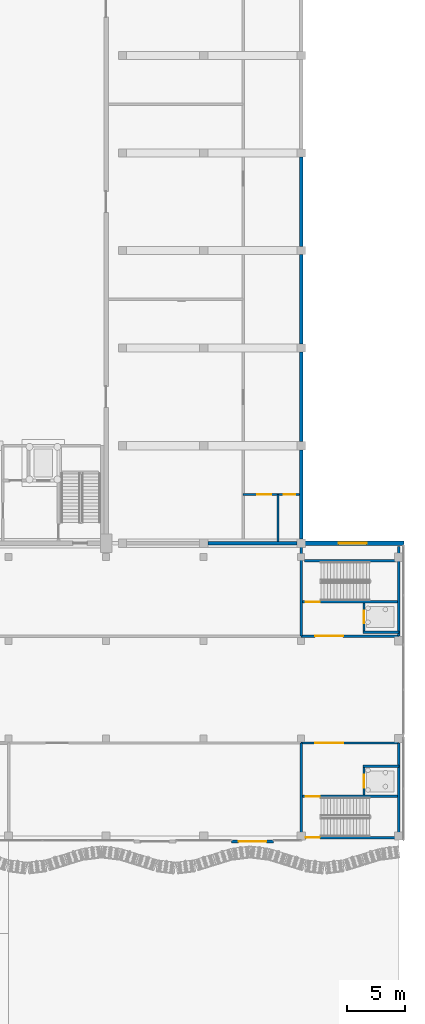
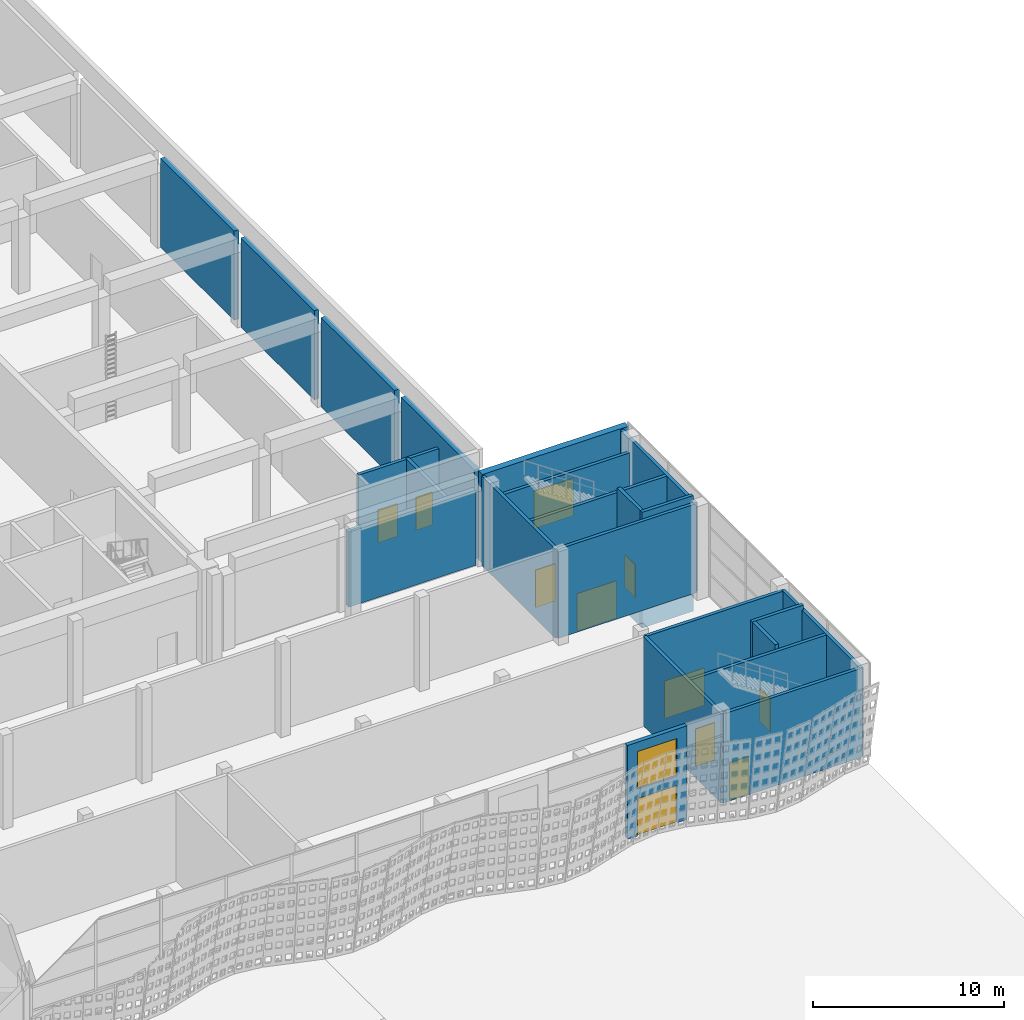
# One storey, part 124 of 210: 23 walls, 10 doors, 2 windows, 12 openings.
"""IFC4 building model written with IfcOpenShell, lengths in metres."""

from ifc_helpers import new_model, si_unit, direction, frame, frame_2d, origin, place, context, subcontext, project, spatial, rectangle, extrude, material, layer, layer_set, type_object, element, fill, save


model = new_model("IFC4")

# Units and contexts
model_context = context("Model", 3, precision=1e-05, world=origin(), true_north=direction((0.0, 1.0)))
body_context = subcontext(model_context, "Body", "Model", "MODEL_VIEW")
ifc_project = project(units=[si_unit("LENGTHUNIT", "METRE"), si_unit("AREAUNIT", "SQUARE_METRE"), si_unit("VOLUMEUNIT", "CUBIC_METRE"), si_unit("PLANEANGLEUNIT", "RADIAN"), si_unit("MASSUNIT", "GRAM", prefix="KILO")], contexts=[model_context])

# Site, building, storey
site_placement = place(None, origin())
site = spatial("IfcSite", under=ifc_project, at=site_placement, CompositionType="ELEMENT")
building_placement = place(site_placement, origin())
building = spatial("IfcBuilding", under=site, at=building_placement, Name="Rain Tree Exposition and Congress Centre", CompositionType="ELEMENT")
storey_placement = place(building_placement, origin())
storey = spatial("IfcBuildingStorey", under=building, at=storey_placement, Name="L00", CompositionType="ELEMENT", Elevation=0.0)

# Wall, openings, door, window
ifc_material_1 = material(Name="Concrete C40/50", Category="concrete")
ifc_layer_1 = layer(ifc_material_1, 0.25)
ifc_layer_set_1 = layer_set([ifc_layer_1], Name="Concrete C40/50")
wall_type_1 = type_object("IfcWallType", Name="Concourse entrance infill wall 250", PredefinedType="SOLIDWALL", material=ifc_layer_set_1)
wall_1_placement = place(storey_placement, frame((254.39990234375, 75.125, 0.0), z_axis=(0.0, 0.0, 1.0), x_axis=(1.0, 0.0, 0.0)))
wall_1 = element("IfcWall", 1, at=wall_1_placement, inside=storey, type_object=wall_type_1, Name="Concourse entrance infill wall", PredefinedType="SOLIDWALL", context=body_context, shape_type="SweptSolid", body=[
    extrude(rectangle(XDim=3.60009765625, YDim=0.25, at=frame_2d((1.800048828125, 0.0))), origin(), (0.0, 0.0, 1.0), 6.0),
])
opening_1_placement = place(wall_1_placement, frame((0.60009765625, 0.0, 0.0)))
opening_1 = element("IfcOpeningElement", 2, at=opening_1_placement, cuts=wall_1, Name="Opening DC014", PredefinedType="OPENING", context=body_context, shape_type="SweptSolid", body=[
    extrude(rectangle(XDim=2.39990234375, YDim=2.39990234375, at=frame_2d((1.199951171875, 1.199951171875))), frame((0.0, 0.125, 0.0), z_axis=(0.0, -1.0, 0.0), x_axis=(1.0, 0.0, 0.0)), (0.0, 0.0, 1.0), 0.25),
])
opening_2_placement = place(wall_1_placement, frame((0.60009765625, 0.0, 3.0)))
opening_2 = element("IfcOpeningElement", 3, at=opening_2_placement, cuts=wall_1, Name="Opening WC544", PredefinedType="OPENING", context=body_context, shape_type="SweptSolid", body=[
    extrude(rectangle(XDim=2.39990234375, YDim=2.39990234375, at=frame_2d((1.199951171875, 1.199951171875))), frame((0.0, 0.125, 0.0), z_axis=(0.0, -1.0, 0.0), x_axis=(1.0, 0.0, 0.0)), (0.0, 0.0, 1.0), 0.25),
])
ifc_material_2 = material(Name="Aluminium framed glazed door", Category="aluminium")
door_type_1 = type_object("IfcDoorType", Name="Concourse double door 2400x2400", OperationType="DOUBLE_DOOR_DOUBLE_SWING", PredefinedType="DOOR", material=ifc_material_2)
door_1_placement = place(opening_1_placement, origin())
door_1 = element("IfcDoor", 4, at=door_1_placement, inside=storey, type_object=door_type_1, Name="Room entrance door DC014", OperationType="DOUBLE_DOOR_DOUBLE_SWING", OverallHeight=2.39990234375, OverallWidth=2.39990234375, PredefinedType="DOOR", context=body_context, shape_type="SweptSolid", body=[
    extrude(rectangle(XDim=2.39990234375, YDim=2.39990234375, at=frame_2d((1.199951171875, 1.199951171875))), frame((0.0, 0.02490234375, 0.0), z_axis=(0.0, -1.0, 0.0), x_axis=(1.0, 0.0, 0.0)), (0.0, 0.0, 1.0), 0.050048828125),
])
fill(opening_1, door_1)
ifc_material_3 = material(Name="Aluminium framed glazing", Category="aluminium")
window_type = type_object("IfcWindowType", Name="Concourse fixed window 2400x2400", PartitioningType="SINGLE_PANEL", PredefinedType="WINDOW", material=ifc_material_3)
window_1_placement = place(opening_2_placement, origin())
window_1 = element("IfcWindow", 5, at=window_1_placement, inside=storey, type_object=window_type, Name="Entrance transom window", OverallHeight=2.39990234375, OverallWidth=2.39990234375, PartitioningType="SINGLE_PANEL", PredefinedType="WINDOW", context=body_context, shape_type="SweptSolid", body=[
    extrude(rectangle(XDim=2.39990234375, YDim=2.39990234375, at=frame_2d((1.199951171875, 1.199951171875))), frame((0.0, 0.030029296875, 0.0), z_axis=(0.0, -1.0, 0.0), x_axis=(1.0, 0.0, 0.0)), (0.0, 0.0, 1.0), 0.06005859375),
])
fill(opening_2, window_1)

# Wall, opening, window
ifc_material_4 = material(Name="Concrete C40/50", Category="concrete")
ifc_layer_2 = layer(ifc_material_4, 0.39990234375)
ifc_layer_set_2 = layer_set([ifc_layer_2], Name="Concrete C40/50")
wall_type_2 = type_object("IfcWallType", Name="Concourse north wall 400", PredefinedType="SOLIDWALL", material=ifc_layer_set_2)
wall_2_placement = place(storey_placement, frame((260.39990234375, 100.800048828125, 0.0), z_axis=(0.0, 0.0, 1.0), x_axis=(1.0, 0.0, 0.0)))
wall_2 = element("IfcWall", 6, at=wall_2_placement, inside=storey, type_object=wall_type_2, Name="Concourse north wall", PredefinedType="SOLIDWALL", context=body_context, shape_type="SweptSolid", body=[
    extrude(rectangle(XDim=8.85009765625, YDim=0.39990234375, at=frame_2d((4.425048828125, 0.0))), origin(), (0.0, 0.0, 1.0), 5.699951171875),
])
opening_3_placement = place(wall_2_placement, frame((3.22509765625, 0.0, 1.0)))
opening_3 = element("IfcOpeningElement", 7, at=opening_3_placement, cuts=wall_2, Name="Opening WN2600", PredefinedType="OPENING", context=body_context, shape_type="SweptSolid", body=[
    extrude(rectangle(XDim=2.39990234375, YDim=2.39990234375, at=frame_2d((1.199951171875, 1.199951171875))), frame((0.0, 0.199951171875, 0.0), z_axis=(0.0, -1.0, 0.0), x_axis=(1.0, 0.0, 0.0)), (0.0, 0.0, 1.0), 0.39990234375),
])
window_2_placement = place(opening_3_placement, origin())
window_2 = element("IfcWindow", 8, at=window_2_placement, inside=storey, type_object=window_type, Name="North wall window", OverallHeight=2.39990234375, OverallWidth=2.39990234375, PartitioningType="SINGLE_PANEL", PredefinedType="WINDOW", context=body_context, shape_type="SweptSolid", body=[
    extrude(rectangle(XDim=2.39990234375, YDim=2.39990234375, at=frame_2d((1.199951171875, 1.199951171875))), frame((0.0, 0.030029296875, 0.0), z_axis=(0.0, -1.0, 0.0), x_axis=(1.0, 0.0, 0.0)), (0.0, 0.0, 1.0), 0.06005859375),
])
fill(opening_3, window_2)

# Walls
ifc_material_5 = material(Name="Concrete C40/50", Category="concrete")
ifc_layer_3 = layer(ifc_material_5, 0.199951171875)
ifc_layer_set_3 = layer_set([ifc_layer_3], Name="Concrete C40/50")
wall_type_3 = type_object("IfcWallType", Name="Concourse shaft and core wall 200", PredefinedType="SOLIDWALL", material=ifc_layer_set_3)
for number, where, z_axis, x_axis, name in (
    (9, (260.39990234375, 75.39990234375, 0.0), (0.0, 0.0, 1.0), (0.0, 1.0, 0.0), "Concourse core wall L00"),
    (10, (268.800048828125, 75.39990234375, 0.0), (0.0, 0.0, 1.0), (0.0, 1.0, 0.0), "Concourse core wall L00"),
):
    element("IfcWall", number, at=place(storey_placement, frame(where, z_axis=z_axis, x_axis=x_axis)), inside=storey, type_object=wall_type_3, Name=name, PredefinedType="SOLIDWALL", context=body_context, shape_type="SweptSolid", body=[
        extrude(rectangle(XDim=8.2001953125, YDim=0.199951171875, at=frame_2d((4.10009765625, 0.0))), origin(), (0.0, 0.0, 1.0), 5.699951171875),
    ])
for number, where, z_axis, x_axis, name in (
    (11, (260.39990234375, 100.5, 0.0), (0.0, 0.0, 1.0), (0.0, -1.0, 0.0), "Concourse core wall L00"),
    (12, (268.800048828125, 100.5, 0.0), (0.0, 0.0, 1.0), (0.0, -1.0, 0.0), "Concourse core wall L00"),
):
    element("IfcWall", number, at=place(storey_placement, frame(where, z_axis=z_axis, x_axis=x_axis)), inside=storey, type_object=wall_type_3, Name=name, PredefinedType="SOLIDWALL", context=body_context, shape_type="SweptSolid", body=[
        extrude(rectangle(XDim=7.699951171875, YDim=0.199951171875, at=frame_2d((3.85009765625, 0.0))), origin(), (0.0, 0.0, 1.0), 5.699951171875),
    ])
wall_3_placement = place(storey_placement, frame((260.699951171875, 99.300048828125, 0.0), z_axis=(0.0, 0.0, 1.0), x_axis=(1.0, 0.0, 0.0)))
element("IfcWall", 13, at=wall_3_placement, inside=storey, type_object=wall_type_3, Name="Concourse stair wall L00", PredefinedType="SOLIDWALL", context=body_context, shape_type="SweptSolid", body=[
    extrude(rectangle(XDim=7.800048828125, YDim=0.199951171875, at=frame_2d((3.89990234375, 0.0))), origin(), (0.0, 0.0, 1.0), 5.10009765625),
])

# Wall, opening, door
wall_4_placement = place(storey_placement, frame((260.39990234375, 83.60009765625, 0.0), z_axis=(0.0, 0.0, 1.0), x_axis=(1.0, 0.0, 0.0)))
wall_4 = element("IfcWall", 14, at=wall_4_placement, inside=storey, type_object=wall_type_3, Name="Concourse lobby front L00", PredefinedType="SOLIDWALL", context=body_context, shape_type="SweptSolid", body=[
    extrude(rectangle(XDim=8.400146484375, YDim=0.199951171875, at=frame_2d((4.2001953125, 0.0))), origin(), (0.0, 0.0, 1.0), 5.699951171875),
])
opening_4_placement = place(wall_4_placement, frame((1.199951171875, 0.0, 0.0)))
opening_4 = element("IfcOpeningElement", 15, at=opening_4_placement, cuts=wall_4, Name="Opening DC037", PredefinedType="OPENING", context=body_context, shape_type="SweptSolid", body=[
    extrude(rectangle(XDim=2.39990234375, YDim=2.39990234375, at=frame_2d((1.199951171875, 1.199951171875))), frame((0.0, 0.10009765625, 0.0), z_axis=(0.0, -1.0, 0.0), x_axis=(1.0, 0.0, 0.0)), (0.0, 0.0, 1.0), 0.199951171875),
])
door_2_placement = place(opening_4_placement, origin())
door_2 = element("IfcDoor", 16, at=door_2_placement, inside=storey, type_object=door_type_1, Name="Lobby exit door DC037", OperationType="DOUBLE_DOOR_DOUBLE_SWING", OverallHeight=2.39990234375, OverallWidth=2.39990234375, PredefinedType="DOOR", context=body_context, shape_type="SweptSolid", body=[
    extrude(rectangle(XDim=2.39990234375, YDim=2.39990234375, at=frame_2d((1.199951171875, 1.199951171875))), frame((0.0, 0.02490234375, 0.0), z_axis=(0.0, -1.0, 0.0), x_axis=(1.0, 0.0, 0.0)), (0.0, 0.0, 1.0), 0.050048828125),
])
fill(opening_4, door_2)

wall_5_placement = place(storey_placement, frame((260.39990234375, 92.800048828125, 0.0), z_axis=(0.0, 0.0, 1.0), x_axis=(1.0, 0.0, 0.0)))
wall_5 = element("IfcWall", 17, at=wall_5_placement, inside=storey, type_object=wall_type_3, Name="Concourse lobby front L00", PredefinedType="SOLIDWALL", context=body_context, shape_type="SweptSolid", body=[
    extrude(rectangle(XDim=8.400146484375, YDim=0.199951171875, at=frame_2d((4.2001953125, 0.0))), origin(), (0.0, 0.0, 1.0), 5.699951171875),
])
opening_5_placement = place(wall_5_placement, frame((1.199951171875, 0.0, 0.0)))
opening_5 = element("IfcOpeningElement", 18, at=opening_5_placement, cuts=wall_5, Name="Opening DC074", PredefinedType="OPENING", context=body_context, shape_type="SweptSolid", body=[
    extrude(rectangle(XDim=2.39990234375, YDim=2.39990234375, at=frame_2d((1.199951171875, 1.199951171875))), frame((0.0, 0.10009765625, 0.0), z_axis=(0.0, -1.0, 0.0), x_axis=(1.0, 0.0, 0.0)), (0.0, 0.0, 1.0), 0.199951171875),
])
door_3_placement = place(opening_5_placement, origin())
door_3 = element("IfcDoor", 19, at=door_3_placement, inside=storey, type_object=door_type_1, Name="Lobby exit door DC074", OperationType="DOUBLE_DOOR_DOUBLE_SWING", OverallHeight=2.39990234375, OverallWidth=2.39990234375, PredefinedType="DOOR", context=body_context, shape_type="SweptSolid", body=[
    extrude(rectangle(XDim=2.39990234375, YDim=2.39990234375, at=frame_2d((1.199951171875, 1.199951171875))), frame((0.0, 0.02490234375, 0.0), z_axis=(0.0, -1.0, 0.0), x_axis=(1.0, 0.0, 0.0)), (0.0, 0.0, 1.0), 0.050048828125),
])
fill(opening_5, door_3)

wall_6_placement = place(storey_placement, frame((260.39990234375, 75.449951171875, 0.0), z_axis=(0.0, 0.0, 1.0), x_axis=(1.0, 0.0, 0.0)))
wall_6 = element("IfcWall", 20, at=wall_6_placement, inside=storey, type_object=wall_type_3, Name="Concourse stair wall L00", PredefinedType="SOLIDWALL", context=body_context, shape_type="SweptSolid", body=[
    extrude(rectangle(XDim=8.400146484375, YDim=0.199951171875, at=frame_2d((4.2001953125, 0.0))), origin(), (0.0, 0.0, 1.0), 5.699951171875),
])
opening_6_placement = place(wall_6_placement, frame((0.39990234375, 0.0, 0.0)))
opening_6 = element("IfcOpeningElement", 21, at=opening_6_placement, cuts=wall_6, Name="Opening DC117", PredefinedType="OPENING", context=body_context, shape_type="SweptSolid", body=[
    extrude(rectangle(XDim=1.199951171875, YDim=2.39990234375, at=frame_2d((0.60009765625, 1.199951171875))), frame((0.0, 0.10009765625, 0.0), z_axis=(0.0, -1.0, 0.0), x_axis=(1.0, 0.0, 0.0)), (0.0, 0.0, 1.0), 0.199951171875),
])
ifc_material_6 = material(Name="Aluminium framed glazed door", Category="aluminium")
door_type_2 = type_object("IfcDoorType", Name="Concourse single door 1200x2400", OperationType="NOTDEFINED", PredefinedType="DOOR", material=ifc_material_6)
door_4_placement = place(opening_6_placement, frame((1.199951171875, 0.0, 0.0), z_axis=(0.0, 0.0, 1.0), x_axis=(-1.0, 0.0, 0.0)))
door_4 = element("IfcDoor", 22, at=door_4_placement, inside=storey, type_object=door_type_2, Name="Stair exit door DC117", OperationType="SINGLE_SWING_RIGHT", OverallHeight=2.39990234375, OverallWidth=1.199951171875, PredefinedType="DOOR", context=body_context, shape_type="SweptSolid", body=[
    extrude(rectangle(XDim=1.199951171875, YDim=2.39990234375, at=frame_2d((0.60009765625, 1.199951171875))), frame((0.0, 0.02490234375, 0.0), z_axis=(0.0, -1.0, 0.0), x_axis=(1.0, 0.0, 0.0)), (0.0, 0.0, 1.0), 0.050048828125),
])
fill(opening_6, door_4)

wall_7_placement = place(storey_placement, frame((260.39990234375, 79.0, 0.0), z_axis=(0.0, 0.0, 1.0), x_axis=(1.0, 0.0, 0.0)))
wall_7 = element("IfcWall", 23, at=wall_7_placement, inside=storey, type_object=wall_type_3, Name="Concourse stair wall L00", PredefinedType="SOLIDWALL", context=body_context, shape_type="SweptSolid", body=[
    extrude(rectangle(XDim=8.400146484375, YDim=0.199951171875, at=frame_2d((4.2001953125, 0.0))), origin(), (0.0, 0.0, 1.0), 5.699951171875),
])
opening_7_placement = place(wall_7_placement, frame((0.39990234375, 0.0, 0.0)))
opening_7 = element("IfcOpeningElement", 24, at=opening_7_placement, cuts=wall_7, Name="Opening DC118", PredefinedType="OPENING", context=body_context, shape_type="SweptSolid", body=[
    extrude(rectangle(XDim=1.199951171875, YDim=2.39990234375, at=frame_2d((0.60009765625, 1.199951171875))), frame((0.0, 0.10009765625, 0.0), z_axis=(0.0, -1.0, 0.0), x_axis=(1.0, 0.0, 0.0)), (0.0, 0.0, 1.0), 0.199951171875),
])
door_5_placement = place(opening_7_placement, origin())
door_5 = element("IfcDoor", 25, at=door_5_placement, inside=storey, type_object=door_type_2, Name="Stair door DC118", OperationType="SINGLE_SWING_LEFT", OverallHeight=2.39990234375, OverallWidth=1.199951171875, PredefinedType="DOOR", context=body_context, shape_type="SweptSolid", body=[
    extrude(rectangle(XDim=1.199951171875, YDim=2.39990234375, at=frame_2d((0.60009765625, 1.199951171875))), frame((0.0, 0.02490234375, 0.0), z_axis=(0.0, -1.0, 0.0), x_axis=(1.0, 0.0, 0.0)), (0.0, 0.0, 1.0), 0.050048828125),
])
fill(opening_7, door_5)

wall_8_placement = place(storey_placement, frame((265.800048828125, 79.10009765625, -1.39990234375), z_axis=(0.0, 0.0, 1.0), x_axis=(0.0, 1.0, 0.0)))
wall_8 = element("IfcWall", 26, at=wall_8_placement, inside=storey, type_object=wall_type_3, Name="Concourse lift shaft wall L00", PredefinedType="SOLIDWALL", context=body_context, shape_type="SweptSolid", body=[
    extrude(rectangle(XDim=2.599853515625, YDim=0.199951171875, at=frame_2d((1.2998046875, 0.0))), origin(), (0.0, 0.0, 1.0), 7.39990234375),
])
opening_8_placement = place(wall_8_placement, frame((0.64990234375, 0.0, 1.39990234375)))
opening_8 = element("IfcOpeningElement", 27, at=opening_8_placement, cuts=wall_8, Name="Opening DC120", PredefinedType="OPENING", context=body_context, shape_type="SweptSolid", body=[
    extrude(rectangle(XDim=1.10009765625, YDim=2.10009765625, at=frame_2d((0.550048828125, 1.050048828125))), frame((0.0, 0.10009765625, 0.0), z_axis=(0.0, -1.0, 0.0), x_axis=(1.0, 0.0, 0.0)), (0.0, 0.0, 1.0), 0.199951171875),
])
ifc_material_7 = material(Name="Stainless steel", Category="steel")
door_type_3 = type_object("IfcDoorType", Name="Lift landing door 1100x2100", OperationType="DOUBLE_DOOR_SLIDING", PredefinedType="DOOR", material=ifc_material_7)
door_6_placement = place(opening_8_placement, origin())
door_6 = element("IfcDoor", 28, at=door_6_placement, inside=storey, type_object=door_type_3, Name="Lift landing door DC120", OperationType="DOUBLE_DOOR_SLIDING", OverallHeight=2.10009765625, OverallWidth=1.10009765625, PredefinedType="DOOR", context=body_context, shape_type="SweptSolid", body=[
    extrude(rectangle(XDim=1.10009765625, YDim=2.10009765625, at=frame_2d((0.550048828125, 1.050048828125))), frame((0.0, 0.02490234375, 0.0), z_axis=(0.0, -1.0, 0.0), x_axis=(1.0, 0.0, 0.0)), (0.0, 0.0, 1.0), 0.050048828125),
])
fill(opening_8, door_6)

# Wall
wall_9_placement = place(storey_placement, frame((265.699951171875, 81.60009765625, -1.39990234375), z_axis=(0.0, 0.0, 1.0), x_axis=(1.0, 0.0, 0.0)))
element("IfcWall", 29, at=wall_9_placement, inside=storey, type_object=wall_type_3, Name="Concourse lift shaft wall L00", PredefinedType="SOLIDWALL", context=body_context, shape_type="SweptSolid", body=[
    extrude(rectangle(XDim=3.10009765625, YDim=0.199951171875, at=frame_2d((1.550048828125, 0.0))), origin(), (0.0, 0.0, 1.0), 7.39990234375),
])

# Wall, opening, door
wall_10_placement = place(storey_placement, frame((260.39990234375, 95.75, 0.0), z_axis=(0.0, 0.0, 1.0), x_axis=(1.0, 0.0, 0.0)))
wall_10 = element("IfcWall", 30, at=wall_10_placement, inside=storey, type_object=wall_type_3, Name="Concourse stair wall L00", PredefinedType="SOLIDWALL", context=body_context, shape_type="SweptSolid", body=[
    extrude(rectangle(XDim=8.400146484375, YDim=0.199951171875, at=frame_2d((4.2001953125, 0.0))), origin(), (0.0, 0.0, 1.0), 5.699951171875),
])
opening_9_placement = place(wall_10_placement, frame((0.39990234375, 0.0, 0.0)))
opening_9 = element("IfcOpeningElement", 31, at=opening_9_placement, cuts=wall_10, Name="Opening DC142", PredefinedType="OPENING", context=body_context, shape_type="SweptSolid", body=[
    extrude(rectangle(XDim=1.199951171875, YDim=2.39990234375, at=frame_2d((0.60009765625, 1.199951171875))), frame((0.0, 0.10009765625, 0.0), z_axis=(0.0, -1.0, 0.0), x_axis=(1.0, 0.0, 0.0)), (0.0, 0.0, 1.0), 0.199951171875),
])
door_7_placement = place(opening_9_placement, origin())
door_7 = element("IfcDoor", 32, at=door_7_placement, inside=storey, type_object=door_type_2, Name="Stair door DC142", OperationType="SINGLE_SWING_LEFT", OverallHeight=2.39990234375, OverallWidth=1.199951171875, PredefinedType="DOOR", context=body_context, shape_type="SweptSolid", body=[
    extrude(rectangle(XDim=1.199951171875, YDim=2.39990234375, at=frame_2d((0.60009765625, 1.199951171875))), frame((0.0, 0.02490234375, 0.0), z_axis=(0.0, -1.0, 0.0), x_axis=(1.0, 0.0, 0.0)), (0.0, 0.0, 1.0), 0.050048828125),
])
fill(opening_9, door_7)

wall_11_placement = place(storey_placement, frame((265.800048828125, 93.050048828125, -1.39990234375), z_axis=(0.0, 0.0, 1.0), x_axis=(0.0, 1.0, 0.0)))
wall_11 = element("IfcWall", 33, at=wall_11_placement, inside=storey, type_object=wall_type_3, Name="Concourse lift shaft wall L00", PredefinedType="SOLIDWALL", context=body_context, shape_type="SweptSolid", body=[
    extrude(rectangle(XDim=2.599853515625, YDim=0.199951171875, at=frame_2d((1.2998046875, 0.0))), origin(), (0.0, 0.0, 1.0), 7.39990234375),
])
opening_10_placement = place(wall_11_placement, frame((0.85009765625, 0.0, 1.39990234375)))
opening_10 = element("IfcOpeningElement", 34, at=opening_10_placement, cuts=wall_11, Name="Opening DC144", PredefinedType="OPENING", context=body_context, shape_type="SweptSolid", body=[
    extrude(rectangle(XDim=1.10009765625, YDim=2.10009765625, at=frame_2d((0.550048828125, 1.050048828125))), frame((0.0, 0.10009765625, 0.0), z_axis=(0.0, -1.0, 0.0), x_axis=(1.0, 0.0, 0.0)), (0.0, 0.0, 1.0), 0.199951171875),
])
door_8_placement = place(opening_10_placement, origin())
door_8 = element("IfcDoor", 35, at=door_8_placement, inside=storey, type_object=door_type_3, Name="Lift landing door DC144", OperationType="DOUBLE_DOOR_SLIDING", OverallHeight=2.10009765625, OverallWidth=1.10009765625, PredefinedType="DOOR", context=body_context, shape_type="SweptSolid", body=[
    extrude(rectangle(XDim=1.10009765625, YDim=2.10009765625, at=frame_2d((0.550048828125, 1.050048828125))), frame((0.0, 0.02490234375, 0.0), z_axis=(0.0, -1.0, 0.0), x_axis=(1.0, 0.0, 0.0)), (0.0, 0.0, 1.0), 0.050048828125),
])
fill(opening_10, door_8)

# Walls
wall_12_placement = place(storey_placement, frame((265.699951171875, 93.14990234375, -1.39990234375), z_axis=(0.0, 0.0, 1.0), x_axis=(1.0, 0.0, 0.0)))
element("IfcWall", 36, at=wall_12_placement, inside=storey, type_object=wall_type_3, Name="Concourse lift shaft wall L00", PredefinedType="SOLIDWALL", context=body_context, shape_type="SweptSolid", body=[
    extrude(rectangle(XDim=3.10009765625, YDim=0.199951171875, at=frame_2d((1.550048828125, 0.0))), origin(), (0.0, 0.0, 1.0), 7.39990234375),
])
ifc_material_8 = material(Name="Precast concrete C50/60", Category="concrete")
ifc_layer_4 = layer(ifc_material_8, 0.300048828125)
ifc_layer_set_4 = layer_set([ifc_layer_4], Name="Precast concrete C50/60")
wall_type_4 = type_object("IfcWallType", Name="Service block precast wall 300", PredefinedType="SOLIDWALL", material=ifc_layer_set_4)
wall_13_placement = place(storey_placement, frame((252.35009765625, 100.800048828125, 0.0), z_axis=(0.0, 0.0, 1.0), x_axis=(1.0, 0.0, 0.0)))
element("IfcWall", 37, at=wall_13_placement, inside=storey, type_object=wall_type_4, Name="Service block south wall 2", PredefinedType="SOLIDWALL", context=body_context, shape_type="SweptSolid", body=[
    extrude(rectangle(XDim=7.699951171875, YDim=0.300048828125, at=frame_2d((3.85009765625, 0.0))), origin(), (0.0, 0.0, 1.0), 4.800048828125),
])
wall_14_placement = place(storey_placement, frame((260.39990234375, 101.14990234375, 0.0), z_axis=(0.0, 0.0, 1.0), x_axis=(0.0, 1.0, 0.0)))
element("IfcWall", 38, at=wall_14_placement, inside=storey, type_object=wall_type_4, Name="Service block east wall 1", PredefinedType="SOLIDWALL", context=body_context, shape_type="SweptSolid", body=[
    extrude(rectangle(XDim=7.7001953125, YDim=0.300048828125, at=frame_2d((3.85009765625, 0.0))), origin(), (0.0, 0.0, 1.0), 5.699951171875),
])
for number, where, z_axis, x_axis, name in (
    (39, (260.39990234375, 109.550048828125, 0.0), (0.0, 0.0, 1.0), (0.0, 1.0, 0.0), "Service block east wall 2"),
    (40, (260.39990234375, 117.949951171875, 0.0), (0.0, 0.0, 1.0), (0.0, 1.0, 0.0), "Service block east wall 3"),
    (41, (260.39990234375, 126.35009765625, 0.0), (0.0, 0.0, 1.0), (0.0, 1.0, 0.0), "Service block east wall 4"),
):
    element("IfcWall", number, at=place(storey_placement, frame(where, z_axis=z_axis, x_axis=x_axis)), inside=storey, type_object=wall_type_4, Name=name, PredefinedType="SOLIDWALL", context=body_context, shape_type="SweptSolid", body=[
        extrude(rectangle(XDim=7.699951171875, YDim=0.300048828125, at=frame_2d((3.85009765625, 0.0))), origin(), (0.0, 0.0, 1.0), 5.699951171875),
    ])

# Wall, openings, doors
ifc_material_9 = material(Name="Concrete C40/50", Category="concrete")
ifc_layer_5 = layer(ifc_material_9, 0.199951171875)
ifc_layer_set_5 = layer_set([ifc_layer_5], Name="Concrete C40/50")
wall_type_5 = type_object("IfcWallType", Name="Service partition wall 200", PredefinedType="PARTITIONING", material=ifc_layer_set_5)
wall_15_placement = place(storey_placement, frame((255.39990234375, 105.0, 0.0), z_axis=(0.0, 0.0, 1.0), x_axis=(1.0, 0.0, 0.0)))
wall_15 = element("IfcWall", 42, at=wall_15_placement, inside=storey, type_object=wall_type_5, Name="WC block wall", PredefinedType="PARTITIONING", context=body_context, shape_type="SweptSolid", body=[
    extrude(rectangle(XDim=4.85009765625, YDim=0.199951171875, at=frame_2d((2.425048828125, 0.0))), origin(), (0.0, 0.0, 1.0), 4.800048828125),
])
opening_11_placement = place(wall_15_placement, frame((1.199951171875, 0.0, 0.0)))
opening_11 = element("IfcOpeningElement", 43, at=opening_11_placement, cuts=wall_15, Name="Opening DH261", PredefinedType="OPENING", context=body_context, shape_type="SweptSolid", body=[
    extrude(rectangle(XDim=1.199951171875, YDim=2.10009765625, at=frame_2d((0.60009765625, 1.050048828125))), frame((0.0, 0.10009765625, 0.0), z_axis=(0.0, -1.0, 0.0), x_axis=(1.0, 0.0, 0.0)), (0.0, 0.0, 1.0), 0.199951171875),
])
opening_12_placement = place(wall_15_placement, frame((3.5, 0.0, 0.0)))
opening_12 = element("IfcOpeningElement", 44, at=opening_12_placement, cuts=wall_15, Name="Opening DH262", PredefinedType="OPENING", context=body_context, shape_type="SweptSolid", body=[
    extrude(rectangle(XDim=1.0, YDim=2.10009765625, at=frame_2d((0.5, 1.050048828125))), frame((0.0, 0.10009765625, 0.0), z_axis=(0.0, -1.0, 0.0), x_axis=(1.0, 0.0, 0.0)), (0.0, 0.0, 1.0), 0.199951171875),
])
ifc_material_10 = material(Name="Painted steel door", Category="steel")
door_type_4 = type_object("IfcDoorType", Name="Single leaf door 1000x2100", OperationType="NOTDEFINED", PredefinedType="DOOR", material=ifc_material_10)
door_9_placement = place(opening_12_placement, origin())
door_9 = element("IfcDoor", 45, at=door_9_placement, inside=storey, type_object=door_type_4, Name="Door DH262", OperationType="SINGLE_SWING_RIGHT", OverallHeight=2.10009765625, OverallWidth=1.0, PredefinedType="DOOR", context=body_context, shape_type="SweptSolid", body=[
    extrude(rectangle(XDim=1.0, YDim=2.10009765625, at=frame_2d((0.5, 1.050048828125))), frame((0.0, 0.02490234375, 0.0), z_axis=(0.0, -1.0, 0.0), x_axis=(1.0, 0.0, 0.0)), (0.0, 0.0, 1.0), 0.050048828125),
])
fill(opening_12, door_9)
ifc_material_11 = material(Name="Painted steel door", Category="steel")
door_type_5 = type_object("IfcDoorType", Name="Single leaf door 1200x2100", OperationType="NOTDEFINED", PredefinedType="DOOR", material=ifc_material_11)
door_10_placement = place(opening_11_placement, origin())
door_10 = element("IfcDoor", 46, at=door_10_placement, inside=storey, type_object=door_type_5, Name="Door DH261", OperationType="SINGLE_SWING_LEFT", OverallHeight=2.10009765625, OverallWidth=1.199951171875, PredefinedType="DOOR", context=body_context, shape_type="SweptSolid", body=[
    extrude(rectangle(XDim=1.199951171875, YDim=2.10009765625, at=frame_2d((0.60009765625, 1.050048828125))), frame((0.0, 0.02490234375, 0.0), z_axis=(0.0, -1.0, 0.0), x_axis=(1.0, 0.0, 0.0)), (0.0, 0.0, 1.0), 0.050048828125),
])
fill(opening_11, door_10)

# Wall
wall_16_placement = place(storey_placement, frame((258.39990234375, 100.949951171875, 0.0), z_axis=(0.0, 0.0, 1.0), x_axis=(0.0, 1.0, 0.0)))
element("IfcWall", 47, at=wall_16_placement, inside=storey, type_object=wall_type_5, Name="WC party wall", PredefinedType="PARTITIONING", context=body_context, shape_type="SweptSolid", body=[
    extrude(rectangle(XDim=4.050048828125, YDim=0.199951171875, at=frame_2d((2.02490234375, 0.0))), origin(), (0.0, 0.0, 1.0), 4.800048828125),
])

save(model, "model.ifc")
